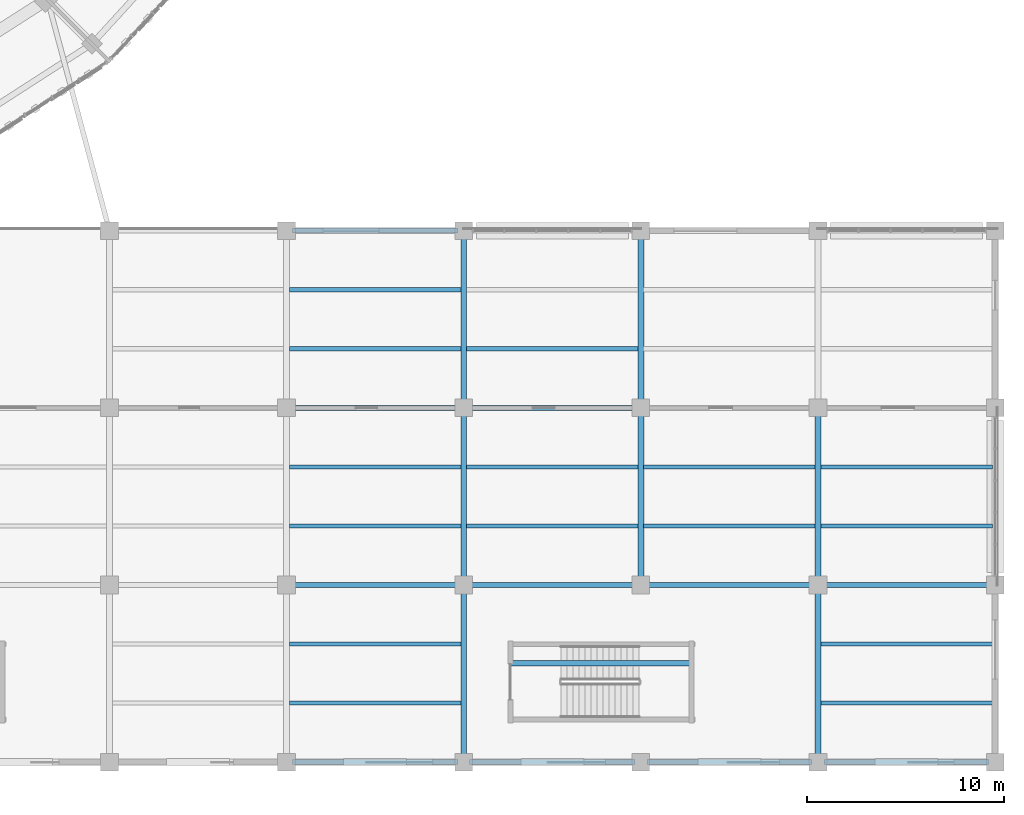
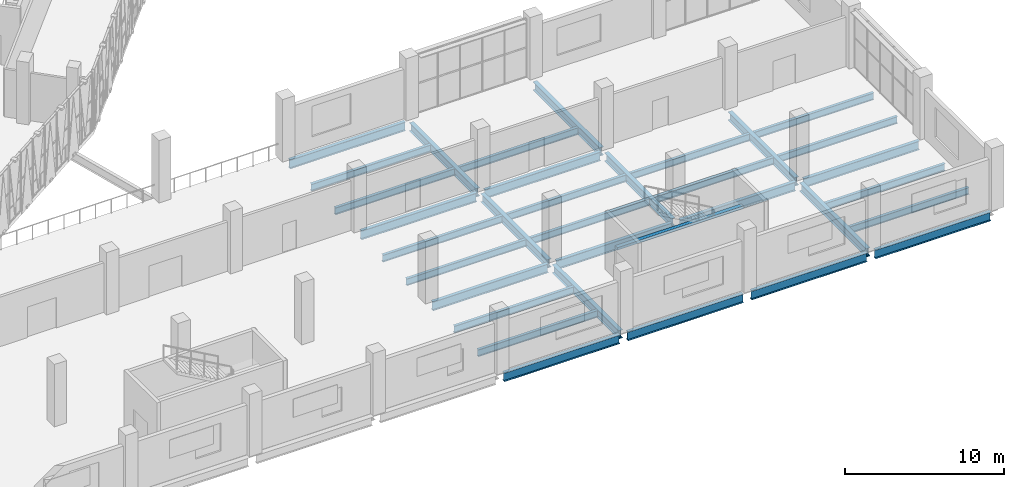
# One storey, part 34 of 183: 34 beams.
"""IFC4 building model written with IfcOpenShell, lengths in metres."""

from ifc_helpers import new_model, si_unit, direction, frame, origin, origin_2d, place, context, subcontext, project, spatial, rectangle, i_section, extrude, material, material_profile, profile_set, type_object, element, save


model = new_model("IFC4")

# Units and contexts
model_context = context("Model", 3, precision=1e-05, world=origin(), true_north=direction((0.0, 1.0)))
body_context = subcontext(model_context, "Body", "Model", "MODEL_VIEW")
ifc_project = project(units=[si_unit("LENGTHUNIT", "METRE"), si_unit("AREAUNIT", "SQUARE_METRE"), si_unit("VOLUMEUNIT", "CUBIC_METRE"), si_unit("PLANEANGLEUNIT", "RADIAN"), si_unit("MASSUNIT", "GRAM", prefix="KILO")], contexts=[model_context])

# Site, building, storey
site_placement = place(None, origin())
site = spatial("IfcSite", under=ifc_project, at=site_placement, CompositionType="ELEMENT")
building_placement = place(site_placement, origin())
building = spatial("IfcBuilding", under=site, at=building_placement, Name="Zevraka Park Crest Stadium", CompositionType="ELEMENT")
storey_placement = place(building_placement, frame((0.0, 0.0, 5.39990234375)))
storey = spatial("IfcBuildingStorey", under=building, at=storey_placement, Name="L01", CompositionType="ELEMENT", Elevation=5.39990234375)

# Beams
ifc_material_1 = material(Name="Steel S355", Category="steel")
ifc_material_profile_1 = material_profile(ifc_material_1, i_section(OverallWidth=0.253662109375, OverallDepth=0.68359375, WebThickness=0.012451171875, FlangeThickness=0.01904296875, at=origin_2d()), Name="UKB 686x254x140")
ifc_profile_set_1 = profile_set([ifc_material_profile_1], Name="Steel S355")
beam_type_1 = type_object("IfcBeamType", Name="BG05", PredefinedType="BEAM", material=ifc_profile_set_1)
for number, where, z_axis, x_axis, name in (
    (1, (188.300048828125, 0.0, -0.649658203125), (1.0, 0.0, 0.0), (0.0, 1.0, 0.0), "Wing Girder BG05 L01-2122/A"),
    (2, (188.300048828125, 9.0, -0.649658203125), (1.0, 0.0, 0.0), (0.0, 1.0, 0.0), "Wing Girder BG05 L01-2122/B"),
    (3, (188.300048828125, 18.0, -0.649658203125), (1.0, 0.0, 0.0), (0.0, 1.0, 0.0), "Wing Girder BG05 L01-2122/C"),
    (4, (188.300048828125, 27.0, -0.649658203125), (1.0, 0.0, 0.0), (0.0, 1.0, 0.0), "Wing Girder BG05 L01-2122/D"),
    (5, (197.300048828125, 0.0, -0.649658203125), (1.0, 0.0, 0.0), (0.0, 1.0, 0.0), "Wing Girder BG05 L01-2223/A"),
    (6, (197.300048828125, 9.0, -0.649658203125), (1.0, 0.0, 0.0), (0.0, 1.0, 0.0), "Wing Girder BG05 L01-2223/B"),
    (7, (197.300048828125, 18.0, -0.649658203125), (1.0, 0.0, 0.0), (0.0, 1.0, 0.0), "Wing Girder BG05 L01-2223/C"),
    (8, (206.300048828125, 0.0, -0.649658203125), (1.0, 0.0, 0.0), (0.0, 1.0, 0.0), "Wing Girder BG05 L01-2324/A"),
    (9, (206.300048828125, 9.0, -0.649658203125), (1.0, 0.0, 0.0), (0.0, 1.0, 0.0), "Wing Girder BG05 L01-2324/B"),
    (10, (215.300048828125, 0.0, -0.649658203125), (1.0, 0.0, 0.0), (0.0, 1.0, 0.0), "Wing Girder BG05 L01-2425/A"),
    (11, (215.300048828125, 9.0, -0.649658203125), (1.0, 0.0, 0.0), (0.0, 1.0, 0.0), "Wing Girder BG05 L01-2425/B"),
):
    element("IfcBeam", number, at=place(storey_placement, frame(where, z_axis=z_axis, x_axis=x_axis)), inside=storey, type_object=beam_type_1, Name=name, PredefinedType="BEAM", context=body_context, shape_type="SweptSolid", body=[
        extrude(i_section(OverallWidth=0.253662109375, OverallDepth=0.68359375, WebThickness=0.012451171875, FlangeThickness=0.01904296875, at=origin_2d()), origin(), (0.0, 0.0, 1.0), 8.39990234375),
    ])
ifc_material_2 = material(Name="Steel S355", Category="steel")
ifc_material_profile_2 = material_profile(ifc_material_2, i_section(OverallWidth=0.300048828125, OverallDepth=0.64990234375, WebThickness=0.01611328125, FlangeThickness=0.031005859375, at=origin_2d()), Name="HEB 650")
ifc_profile_set_2 = profile_set([ifc_material_profile_2], Name="Steel S355")
beam_type_2 = type_object("IfcBeamType", Name="BG07", PredefinedType="BEAM", material=ifc_profile_set_2)
for number, where, z_axis, x_axis, name in (
    (12, (197.0, 0.300048828125, -0.6328125), (0.0, 1.0, 0.0), (-1.0, 0.0, 0.0), "Wing Girder BG07 L01-22/AB"),
    (13, (197.0, 9.300048828125, -0.6328125), (0.0, 1.0, 0.0), (-1.0, 0.0, 0.0), "Wing Girder BG07 L01-22/BC"),
    (14, (197.0, 18.300048828125, -0.6328125), (0.0, 1.0, 0.0), (-1.0, 0.0, 0.0), "Wing Girder BG07 L01-22/CD"),
    (15, (206.0, 9.300048828125, -0.6328125), (0.0, 1.0, 0.0), (-1.0, 0.0, 0.0), "Wing Girder BG07 L01-23/BC"),
    (16, (206.0, 18.300048828125, -0.6328125), (0.0, 1.0, 0.0), (-1.0, 0.0, 0.0), "Wing Girder BG07 L01-23/CD"),
    (17, (215.0, 0.300048828125, -0.6328125), (0.0, 1.0, 0.0), (-1.0, 0.0, 0.0), "Wing Girder BG07 L01-24/AB"),
    (18, (215.0, 9.300048828125, -0.6328125), (0.0, 1.0, 0.0), (-1.0, 0.0, 0.0), "Wing Girder BG07 L01-24/BC"),
):
    element("IfcBeam", number, at=place(storey_placement, frame(where, z_axis=z_axis, x_axis=x_axis)), inside=storey, type_object=beam_type_2, Name=name, PredefinedType="BEAM", context=body_context, shape_type="SweptSolid", body=[
        extrude(i_section(OverallWidth=0.300048828125, OverallDepth=0.64990234375, WebThickness=0.01611328125, FlangeThickness=0.031005859375, at=origin_2d()), origin(), (0.0, 0.0, 1.0), 8.39990234375),
    ])
ifc_material_3 = material(Name="Steel S355", Category="steel")
ifc_material_profile_3 = material_profile(ifc_material_3, i_section(OverallWidth=0.209228515625, OverallDepth=0.533203125, WebThickness=0.010009765625, FlangeThickness=0.015625, at=origin_2d()), Name="UKB 533x210x92")
ifc_profile_set_3 = profile_set([ifc_material_profile_3], Name="Steel S355")
beam_type_3 = type_object("IfcBeamType", Name="SJ05", PredefinedType="JOIST", material=ifc_profile_set_3)
for number, where, z_axis, x_axis, name in (
    (19, (188.14501953125, 3.0, -0.576416015625), (1.0, 0.0, 0.0), (0.0, 1.0, 0.0), "Wing Joist SJ05 L01-21/A-1"),
    (20, (188.14501953125, 6.0, -0.576416015625), (1.0, 0.0, 0.0), (0.0, 1.0, 0.0), "Wing Joist SJ05 L01-21/A-2"),
    (21, (188.14501953125, 12.0, -0.576416015625), (1.0, 0.0, 0.0), (0.0, 1.0, 0.0), "Wing Joist SJ05 L01-21/B-1"),
    (22, (188.14501953125, 15.0, -0.576416015625), (1.0, 0.0, 0.0), (0.0, 1.0, 0.0), "Wing Joist SJ05 L01-21/B-2"),
    (23, (188.14501953125, 21.0, -0.576416015625), (1.0, 0.0, 0.0), (0.0, 1.0, 0.0), "Wing Joist SJ05 L01-21/C-1"),
    (24, (188.14501953125, 24.0, -0.576416015625), (1.0, 0.0, 0.0), (0.0, 1.0, 0.0), "Wing Joist SJ05 L01-21/C-2"),
    (25, (197.14501953125, 12.0, -0.576416015625), (1.0, 0.0, 0.0), (0.0, 1.0, 0.0), "Wing Joist SJ05 L01-22/B-1"),
    (26, (197.14501953125, 15.0, -0.576416015625), (1.0, 0.0, 0.0), (0.0, 1.0, 0.0), "Wing Joist SJ05 L01-22/B-2"),
    (27, (197.14501953125, 21.0, -0.576416015625), (1.0, 0.0, 0.0), (0.0, 1.0, 0.0), "Wing Joist SJ05 L01-22/C-1"),
    (28, (206.14501953125, 12.0, -0.576416015625), (1.0, 0.0, 0.0), (0.0, 1.0, 0.0), "Wing Joist SJ05 L01-23/B-1"),
    (29, (206.14501953125, 15.0, -0.576416015625), (1.0, 0.0, 0.0), (0.0, 1.0, 0.0), "Wing Joist SJ05 L01-23/B-2"),
    (30, (215.14501953125, 3.0, -0.576416015625), (1.0, 0.0, 0.0), (0.0, 1.0, 0.0), "Wing Joist SJ05 L01-24/A-1"),
    (31, (215.14501953125, 6.0, -0.576416015625), (1.0, 0.0, 0.0), (0.0, 1.0, 0.0), "Wing Joist SJ05 L01-24/A-2"),
    (32, (215.14501953125, 12.0, -0.576416015625), (1.0, 0.0, 0.0), (0.0, 1.0, 0.0), "Wing Joist SJ05 L01-24/B-1"),
    (33, (215.14501953125, 15.0, -0.576416015625), (1.0, 0.0, 0.0), (0.0, 1.0, 0.0), "Wing Joist SJ05 L01-24/B-2"),
):
    element("IfcBeam", number, at=place(storey_placement, frame(where, z_axis=z_axis, x_axis=x_axis)), inside=storey, type_object=beam_type_3, Name=name, PredefinedType="JOIST", context=body_context, shape_type="SweptSolid", body=[
        extrude(i_section(OverallWidth=0.209228515625, OverallDepth=0.533203125, WebThickness=0.010009765625, FlangeThickness=0.015625, at=origin_2d()), origin(), (0.0, 0.0, 1.0), 8.7099609375),
    ])
ifc_material_4 = material(Name="Concrete C40/50", Category="concrete")
ifc_material_profile_4 = material_profile(ifc_material_4, rectangle(XDim=0.280029296875, YDim=0.199951171875, at=origin_2d()), Name="RC 200x280")
ifc_profile_set_4 = profile_set([ifc_material_profile_4], Name="Concrete C40/50")
beam_type_4 = type_object("IfcBeamType", Name="SJ13", PredefinedType="JOIST", material=ifc_profile_set_4)
beam_placement = place(storey_placement, frame((199.39990234375, 5.034912109375, 2.300048828125), z_axis=(1.0, 0.0, 0.0), x_axis=(0.0, 1.0, 0.0)))
element("IfcBeam", 34, at=beam_placement, inside=storey, type_object=beam_type_4, Name="Stair Upper-Flight Longitudinal Stringer SJ13 ST54-L01", PredefinedType="JOIST", context=body_context, shape_type="SweptSolid", body=[
    extrude(rectangle(XDim=0.280029296875, YDim=0.199951171875, at=origin_2d()), origin(), (0.0, 0.0, 1.0), 9.2001953125),
])

save(model, "model.ifc")
